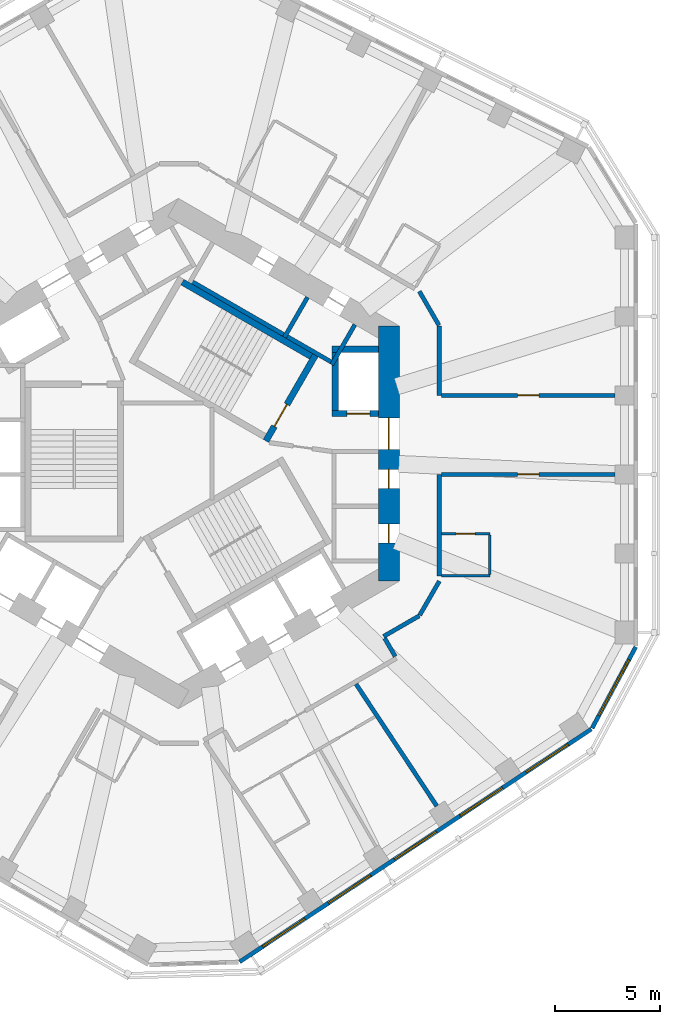
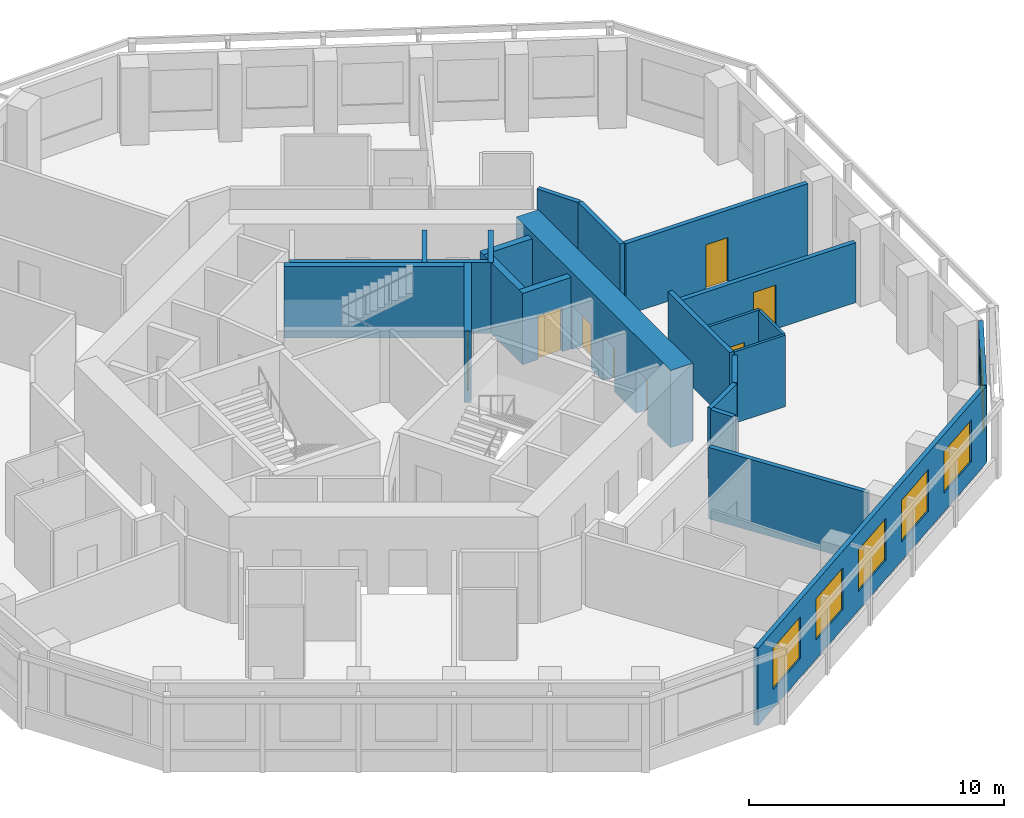
# One storey, part 6 of 11: 23 walls, 8 doors, 6 windows, 14 openings.
"""IFC4 building model written with IfcOpenShell, lengths in metres."""

from ifc_helpers import new_model, si_unit, direction, frame, frame_2d, origin, place, context, subcontext, project, spatial, rectangle, extrude, material, layer, layer_set, type_object, element, fill, save


model = new_model("IFC4")

# Units and contexts
model_context = context("Model", 3, precision=1e-05, world=origin(), true_north=direction((0.0, 1.0)))
body_context = subcontext(model_context, "Body", "Model", "MODEL_VIEW")
ifc_project = project(units=[si_unit("LENGTHUNIT", "METRE"), si_unit("AREAUNIT", "SQUARE_METRE"), si_unit("VOLUMEUNIT", "CUBIC_METRE"), si_unit("PLANEANGLEUNIT", "RADIAN"), si_unit("MASSUNIT", "GRAM", prefix="KILO")], contexts=[model_context])

# Site, building, storey
site_placement = place(None, origin())
site = spatial("IfcSite", under=ifc_project, at=site_placement, CompositionType="ELEMENT")
building_placement = place(site_placement, origin())
building = spatial("IfcBuilding", under=site, at=building_placement, Name="Vanh Sen Convention Tower", CompositionType="ELEMENT")
storey_placement = place(building_placement, frame((0.0, 0.0, 198.39990234375)))
storey = spatial("IfcBuildingStorey", under=building, at=storey_placement, Name="L49", CompositionType="ELEMENT", Elevation=198.39990234375)

# Wall, opening, door
ifc_material_1 = material(Name="Moisture-resistant gypsum board on steel studs", Category="steel")
ifc_layer_1 = layer(ifc_material_1, 0.1201171875)
ifc_layer_set_1 = layer_set([ifc_layer_1], Name="Moisture-resistant gypsum board on steel studs")
wall_type_1 = type_object("IfcWallType", Name="Bathroom partition 120", PredefinedType="PARTITIONING", material=ifc_layer_set_1)
wall_1_placement = place(storey_placement, frame((12.5, -3.812255859375, 0.0), z_axis=(0.0, 0.0, 1.0), x_axis=(1.0, 0.0, 0.0)))
wall_1 = element("IfcWall", 1, at=wall_1_placement, inside=storey, type_object=wall_type_1, Name="Bathroom partition 120", PredefinedType="PARTITIONING", context=body_context, shape_type="SweptSolid", body=[
    extrude(rectangle(XDim=2.300048828125, YDim=0.1201171875, at=frame_2d((1.14990234375, 0.0))), origin(), (0.0, 0.0, 1.0), 3.420166015625),
])
opening_1_placement = place(wall_1_placement, frame((0.699951171875, 0.0, 0.0)))
opening_1 = element("IfcOpeningElement", 2, at=opening_1_placement, cuts=wall_1, Name="Opening D49119", PredefinedType="OPENING", context=body_context, shape_type="SweptSolid", body=[
    extrude(rectangle(XDim=0.89990234375, YDim=2.10009765625, at=frame_2d((0.449951171875, 1.050048828125))), frame((0.0, 0.070068359375, 0.0), z_axis=(0.0, -1.0, 0.0), x_axis=(1.0, 0.0, 0.0)), (0.0, 0.0, 1.0), 0.14013671875),
])
ifc_material_2 = material(Name="Laminate door in steel frame", Category="steel")
door_type_1 = type_object("IfcDoorType", Name="Room internal door 900", OperationType="SINGLE_SWING_LEFT", PredefinedType="DOOR", material=ifc_material_2)
door_1_placement = place(opening_1_placement, origin())
door_1 = element("IfcDoor", 3, at=door_1_placement, inside=storey, type_object=door_type_1, Name="Internal room door D49119", OperationType="SINGLE_SWING_LEFT", OverallHeight=2.10009765625, OverallWidth=0.89990234375, PredefinedType="DOOR", context=body_context, shape_type="SweptSolid", body=[
    extrude(rectangle(XDim=0.89990234375, YDim=2.10009765625, at=frame_2d((0.449951171875, 1.050048828125))), frame((0.0, 0.02490234375, 0.0), z_axis=(0.0, -1.0, 0.0), x_axis=(1.0, 0.0, 0.0)), (0.0, 0.0, 1.0), 0.050048828125),
])
fill(opening_1, door_1)

# Walls
wall_2_placement = place(storey_placement, frame((14.800048828125, -5.812255859375, 0.0), z_axis=(0.0, 0.0, 1.0), x_axis=(-1.0, 0.0, 0.0)))
element("IfcWall", 4, at=wall_2_placement, inside=storey, type_object=wall_type_1, Name="Bathroom partition 120", PredefinedType="PARTITIONING", context=body_context, shape_type="SweptSolid", body=[
    extrude(rectangle(XDim=2.300048828125, YDim=0.1201171875, at=frame_2d((1.14990234375, 0.0))), origin(), (0.0, 0.0, 1.0), 3.420166015625),
])
wall_3_placement = place(storey_placement, frame((14.800048828125, -3.872314453125, 0.0), z_axis=(0.0, 0.0, 1.0), x_axis=(0.0, -1.0, 0.0)))
element("IfcWall", 5, at=wall_3_placement, inside=storey, type_object=wall_type_1, Name="Bathroom partition 120", PredefinedType="PARTITIONING", context=body_context, shape_type="SweptSolid", body=[
    extrude(rectangle(XDim=1.8798828125, YDim=0.1201171875, at=frame_2d((0.93994140625, 0.0))), origin(), (0.0, 0.0, 1.0), 3.420166015625),
])

# Wall, openings, doors
ifc_material_3 = material(Name="Concrete C80/95", Category="concrete")
ifc_layer_2 = layer(ifc_material_3, 1.0)
ifc_layer_set_2 = layer_set([ifc_layer_2], Name="Concrete C80/95")
wall_type_2 = type_object("IfcWallType", Name="Core outer wall 1000 C80/95", PredefinedType="SHEAR", material=ifc_layer_set_2)
wall_4_placement = place(storey_placement, frame((10.0, -6.062255859375, 0.0), z_axis=(0.0, 0.0, 1.0), x_axis=(0.0, 1.0, 0.0)))
wall_4 = element("IfcWall", 6, at=wall_4_placement, inside=storey, type_object=wall_type_2, Name="Core wall face E L49", PredefinedType="SHEAR", context=body_context, shape_type="SweptSolid", body=[
    extrude(rectangle(XDim=12.12451171875, YDim=1.0, at=frame_2d((6.062255859375, 0.0))), origin(), (0.0, 0.0, 1.0), 3.7001953125),
])
opening_2_placement = place(wall_4_placement, frame((6.26220703125, 0.0, 0.0)))
opening_2 = element("IfcOpeningElement", 7, at=opening_2_placement, cuts=wall_4, Name="Opening D49001", PredefinedType="OPENING", context=body_context, shape_type="SweptSolid", body=[
    extrude(rectangle(XDim=1.5, YDim=2.10009765625, at=frame_2d((0.75, 1.050048828125))), frame((0.0, 0.510009765625, 0.0), z_axis=(0.0, -1.0, 0.0), x_axis=(1.0, 0.0, 0.0)), (0.0, 0.0, 1.0), 1.02001953125),
])
opening_3_placement = place(wall_4_placement, frame((1.812255859375, 0.0, 0.0)))
opening_3 = element("IfcOpeningElement", 8, at=opening_3_placement, cuts=wall_4, Name="Opening D49010", PredefinedType="OPENING", context=body_context, shape_type="SweptSolid", body=[
    extrude(rectangle(XDim=0.89990234375, YDim=2.10009765625, at=frame_2d((0.449951171875, 1.050048828125))), frame((0.0, 0.510009765625, 0.0), z_axis=(0.0, -1.0, 0.0), x_axis=(1.0, 0.0, 0.0)), (0.0, 0.0, 1.0), 1.02001953125),
])
opening_4_placement = place(wall_4_placement, frame((4.412109375, 0.0, 0.0)))
opening_4 = element("IfcOpeningElement", 9, at=opening_4_placement, cuts=wall_4, Name="Opening D49011", PredefinedType="OPENING", context=body_context, shape_type="SweptSolid", body=[
    extrude(rectangle(XDim=0.89990234375, YDim=2.10009765625, at=frame_2d((0.449951171875, 1.050048828125))), frame((0.0, 0.510009765625, 0.0), z_axis=(0.0, -1.0, 0.0), x_axis=(1.0, 0.0, 0.0)), (0.0, 0.0, 1.0), 1.02001953125),
])
ifc_material_4 = material(Name="Steel S355", Category="steel")
door_type_2 = type_object("IfcDoorType", Name="Plant door 900", OperationType="SINGLE_SWING_LEFT", PredefinedType="DOOR", material=ifc_material_4)
door_2_placement = place(opening_3_placement, origin())
door_2 = element("IfcDoor", 10, at=door_2_placement, inside=storey, type_object=door_type_2, Name="Plant door D49010", OperationType="SINGLE_SWING_LEFT", OverallHeight=2.10009765625, OverallWidth=0.89990234375, PredefinedType="DOOR", context=body_context, shape_type="SweptSolid", body=[
    extrude(rectangle(XDim=0.89990234375, YDim=2.10009765625, at=frame_2d((0.449951171875, 1.050048828125))), frame((0.0, 0.02490234375, 0.0), z_axis=(0.0, -1.0, 0.0), x_axis=(1.0, 0.0, 0.0)), (0.0, 0.0, 1.0), 0.050048828125),
])
fill(opening_3, door_2)
door_3_placement = place(opening_4_placement, origin())
door_3 = element("IfcDoor", 11, at=door_3_placement, inside=storey, type_object=door_type_2, Name="Plant door D49011", OperationType="SINGLE_SWING_LEFT", OverallHeight=2.10009765625, OverallWidth=0.89990234375, PredefinedType="DOOR", context=body_context, shape_type="SweptSolid", body=[
    extrude(rectangle(XDim=0.89990234375, YDim=2.10009765625, at=frame_2d((0.449951171875, 1.050048828125))), frame((0.0, 0.02490234375, 0.0), z_axis=(0.0, -1.0, 0.0), x_axis=(1.0, 0.0, 0.0)), (0.0, 0.0, 1.0), 0.050048828125),
])
fill(opening_4, door_3)
door_type_3 = type_object("IfcDoorType", Name="Stair lobby door 1500", OperationType="DOUBLE_DOOR_SINGLE_SWING", PredefinedType="DOOR", material=ifc_material_4)
door_4_placement = place(opening_2_placement, origin())
door_4 = element("IfcDoor", 12, at=door_4_placement, inside=storey, type_object=door_type_3, Name="Stair lobby door D49001", OperationType="DOUBLE_DOOR_SINGLE_SWING", OverallHeight=2.10009765625, OverallWidth=1.5, PredefinedType="DOOR", context=body_context, shape_type="SweptSolid", body=[
    extrude(rectangle(XDim=1.5, YDim=2.10009765625, at=frame_2d((0.75, 1.050048828125))), frame((0.0, 0.02490234375, 0.0), z_axis=(0.0, -1.0, 0.0), x_axis=(1.0, 0.0, 0.0)), (0.0, 0.0, 1.0), 0.050048828125),
])
fill(opening_2, door_4)

# Walls
ifc_material_5 = material(Name="Gypsum board on steel studs with mineral wool", Category="steel")
ifc_layer_3 = layer(ifc_material_5, 0.199951171875)
ifc_layer_set_3 = layer_set([ifc_layer_3], Name="Gypsum board on steel studs with mineral wool")
wall_type_3 = type_object("IfcWallType", Name="Corridor partition wall 200", PredefinedType="PARTITIONING", material=ifc_layer_set_3)
wall_5_placement = place(storey_placement, frame((9.751708984375, -8.688232421875, 0.0), z_axis=(0.0, 0.0, 1.0), x_axis=(0.865974105138, 0.500088841337, 0.0)))
element("IfcWall", 13, at=wall_5_placement, inside=storey, type_object=wall_type_3, Name="Corridor partition wall 200", PredefinedType="PARTITIONING", context=body_context, shape_type="SweptSolid", body=[
    extrude(rectangle(XDim=1.961181640625, YDim=0.199951171875, at=frame_2d((0.98046875, 0.0))), origin(), (0.0, 0.0, 1.0), 3.420166015625),
])
wall_6_placement = place(storey_placement, frame((10.302001953125, -9.6416015625, 0.0), z_axis=(0.0, 0.0, 1.0), x_axis=(-0.500074377092, 0.865982457891, 0.0)))
element("IfcWall", 14, at=wall_6_placement, inside=storey, type_object=wall_type_3, Name="Corridor partition wall 200", PredefinedType="PARTITIONING", context=body_context, shape_type="SweptSolid", body=[
    extrude(rectangle(XDim=1.000732421875, YDim=0.199951171875, at=frame_2d((0.50048828125, 0.0))), origin(), (0.0, 0.0, 1.0), 3.420166015625),
])
for number, where, z_axis, x_axis, name in (
    (15, (11.469970703125, -7.673095703125, 0.0), (0.0, 0.0, 1.0), (0.499964847546, 0.866045698112, 0.0), "Corridor partition wall 200"),
    (16, (12.3798828125, 6.0966796875, 0.0), (0.0, 0.0, 1.0), (-0.499964847546, 0.866045698112, 0.0), "Corridor partition wall 200"),
):
    element("IfcWall", number, at=place(storey_placement, frame(where, z_axis=z_axis, x_axis=x_axis)), inside=storey, type_object=wall_type_3, Name=name, PredefinedType="PARTITIONING", context=body_context, shape_type="SweptSolid", body=[
        extrude(rectangle(XDim=1.860107421875, YDim=0.199951171875, at=frame_2d((0.93017578125, 0.0))), origin(), (0.0, 0.0, 1.0), 3.420166015625),
    ])
wall_7_placement = place(storey_placement, frame((12.39990234375, -5.812255859375, 0.0), z_axis=(0.0, 0.0, 1.0), x_axis=(0.0, 1.0, 0.0)))
element("IfcWall", 17, at=wall_7_placement, inside=storey, type_object=wall_type_3, Name="Corridor partition wall 200", PredefinedType="PARTITIONING", context=body_context, shape_type="SweptSolid", body=[
    extrude(rectangle(XDim=4.8193359375, YDim=0.199951171875, at=frame_2d((2.40966796875, 0.0))), origin(), (0.0, 0.0, 1.0), 3.420166015625),
])
wall_8_placement = place(storey_placement, frame((12.39990234375, 2.76123046875, 0.0), z_axis=(0.0, 0.0, 1.0), x_axis=(0.0, 1.0, 0.0)))
element("IfcWall", 18, at=wall_8_placement, inside=storey, type_object=wall_type_3, Name="Corridor partition wall 200", PredefinedType="PARTITIONING", context=body_context, shape_type="SweptSolid", body=[
    extrude(rectangle(XDim=3.301025390625, YDim=0.199951171875, at=frame_2d((1.650390625, 0.0))), origin(), (0.0, 0.0, 1.0), 3.420166015625),
])

# Wall, opening, door
wall_9_placement = place(storey_placement, frame((12.5, -0.992919921875, 0.0), z_axis=(0.0, 0.0, 1.0), x_axis=(1.0, 0.0, 0.0)))
wall_9 = element("IfcWall", 19, at=wall_9_placement, inside=storey, type_object=wall_type_3, Name="Corridor partition wall 200", PredefinedType="PARTITIONING", context=body_context, shape_type="SweptSolid", body=[
    extrude(rectangle(XDim=8.25, YDim=0.199951171875, at=frame_2d((4.125, 0.0))), origin(), (0.0, 0.0, 1.0), 2.8701171875),
])
opening_5_placement = place(wall_9_placement, frame((3.625, 0.0, 0.0)))
opening_5 = element("IfcOpeningElement", 20, at=opening_5_placement, cuts=wall_9, Name="Opening D49118", PredefinedType="OPENING", context=body_context, shape_type="SweptSolid", body=[
    extrude(rectangle(XDim=1.0, YDim=2.10009765625, at=frame_2d((0.5, 1.050048828125))), frame((0.0, 0.10986328125, 0.0), z_axis=(0.0, -1.0, 0.0), x_axis=(1.0, 0.0, 0.0)), (0.0, 0.0, 1.0), 0.219970703125),
])
ifc_material_6 = material(Name="Glazed fire door in steel frame", Category="steel")
door_type_4 = type_object("IfcDoorType", Name="Tenant entrance door 1000", OperationType="SINGLE_SWING_LEFT", PredefinedType="DOOR", material=ifc_material_6)
door_5_placement = place(opening_5_placement, origin())
door_5 = element("IfcDoor", 21, at=door_5_placement, inside=storey, type_object=door_type_4, Name="Tenant suite entrance door D49118", OperationType="SINGLE_SWING_LEFT", OverallHeight=2.10009765625, OverallWidth=1.0, PredefinedType="DOOR", context=body_context, shape_type="SweptSolid", body=[
    extrude(rectangle(XDim=1.0, YDim=2.10009765625, at=frame_2d((0.5, 1.050048828125))), frame((0.0, 0.02490234375, 0.0), z_axis=(0.0, -1.0, 0.0), x_axis=(1.0, 0.0, 0.0)), (0.0, 0.0, 1.0), 0.050048828125),
])
fill(opening_5, door_5)

wall_10_placement = place(storey_placement, frame((20.75, 2.76123046875, 0.0), z_axis=(0.0, 0.0, 1.0), x_axis=(-1.0, 0.0, 0.0)))
wall_10 = element("IfcWall", 22, at=wall_10_placement, inside=storey, type_object=wall_type_3, Name="Corridor partition wall 200", PredefinedType="PARTITIONING", context=body_context, shape_type="SweptSolid", body=[
    extrude(rectangle(XDim=8.25, YDim=0.199951171875, at=frame_2d((4.125, 0.0))), origin(), (0.0, 0.0, 1.0), 3.420166015625),
])
opening_6_placement = place(wall_10_placement, frame((3.625, 0.0, 0.0)))
opening_6 = element("IfcOpeningElement", 23, at=opening_6_placement, cuts=wall_10, Name="Opening D49101", PredefinedType="OPENING", context=body_context, shape_type="SweptSolid", body=[
    extrude(rectangle(XDim=1.0, YDim=2.10009765625, at=frame_2d((0.5, 1.050048828125))), frame((0.0, 0.10986328125, 0.0), z_axis=(0.0, -1.0, 0.0), x_axis=(1.0, 0.0, 0.0)), (0.0, 0.0, 1.0), 0.219970703125),
])
door_6_placement = place(opening_6_placement, origin())
door_6 = element("IfcDoor", 24, at=door_6_placement, inside=storey, type_object=door_type_4, Name="Tenant suite entrance door D49101", OperationType="SINGLE_SWING_LEFT", OverallHeight=2.10009765625, OverallWidth=1.0, PredefinedType="DOOR", context=body_context, shape_type="SweptSolid", body=[
    extrude(rectangle(XDim=1.0, YDim=2.10009765625, at=frame_2d((0.5, 1.050048828125))), frame((0.0, 0.02490234375, 0.0), z_axis=(0.0, -1.0, 0.0), x_axis=(1.0, 0.0, 0.0)), (0.0, 0.0, 1.0), 0.050048828125),
])
fill(opening_6, door_6)

# Wall, openings, windows
ifc_material_7 = material(Name="Insulated lightweight infill wall")
ifc_layer_4 = layer(ifc_material_7, 0.199951171875)
ifc_layer_set_4 = layer_set([ifc_layer_4], Name="Insulated lightweight infill wall")
wall_type_4 = type_object("IfcWallType", Name="External wall 200", PredefinedType="STANDARD", material=ifc_layer_set_4)
wall_11_placement = place(storey_placement, frame((2.910888671875, -24.156005859375, 0.0), z_axis=(0.0, 0.0, 1.0), x_axis=(0.833882163564, 0.551942512668, 0.0)))
wall_11 = element("IfcWall", 25, at=wall_11_placement, inside=storey, type_object=wall_type_4, Name="External wall SE L49", PredefinedType="STANDARD", context=body_context, shape_type="SweptSolid", body=[
    extrude(rectangle(XDim=20.043701171875, YDim=0.199951171875, at=frame_2d((10.02197265625, 0.0))), origin(), (0.0, 0.0, 1.0), 3.7001953125),
])
opening_7_placement = place(wall_11_placement, frame((1.312744140625, 0.0, 0.89990234375)))
opening_7 = element("IfcOpeningElement", 26, at=opening_7_placement, cuts=wall_11, Name="Opening WO1-SE1", PredefinedType="OPENING", context=body_context, shape_type="SweptSolid", body=[
    extrude(rectangle(XDim=2.39990234375, YDim=2.0, at=frame_2d((1.199951171875, 1.0))), frame((0.0, 0.10986328125, 0.0), z_axis=(0.0, -1.0, 0.0), x_axis=(1.0, 0.0, 0.0)), (0.0, 0.0, 1.0), 0.219970703125),
])
opening_8_placement = place(wall_11_placement, frame((5.06689453125, 0.0, 0.89990234375)))
opening_8 = element("IfcOpeningElement", 27, at=opening_8_placement, cuts=wall_11, Name="Opening WO1-SE2", PredefinedType="OPENING", context=body_context, shape_type="SweptSolid", body=[
    extrude(rectangle(XDim=2.39990234375, YDim=2.0, at=frame_2d((1.199951171875, 1.0))), frame((0.0, 0.10986328125, 0.0), z_axis=(0.0, -1.0, 0.0), x_axis=(1.0, 0.0, 0.0)), (0.0, 0.0, 1.0), 0.219970703125),
])
opening_9_placement = place(wall_11_placement, frame((8.82080078125, 0.0, 0.89990234375)))
opening_9 = element("IfcOpeningElement", 28, at=opening_9_placement, cuts=wall_11, Name="Opening WO1-SE3", PredefinedType="OPENING", context=body_context, shape_type="SweptSolid", body=[
    extrude(rectangle(XDim=2.39990234375, YDim=2.0, at=frame_2d((1.199951171875, 1.0))), frame((0.0, 0.10986328125, 0.0), z_axis=(0.0, -1.0, 0.0), x_axis=(1.0, 0.0, 0.0)), (0.0, 0.0, 1.0), 0.219970703125),
])
opening_10_placement = place(wall_11_placement, frame((12.5751953125, 0.0, 0.89990234375)))
opening_10 = element("IfcOpeningElement", 29, at=opening_10_placement, cuts=wall_11, Name="Opening WO1-SE4", PredefinedType="OPENING", context=body_context, shape_type="SweptSolid", body=[
    extrude(rectangle(XDim=2.39990234375, YDim=2.0, at=frame_2d((1.199951171875, 1.0))), frame((0.0, 0.10986328125, 0.0), z_axis=(0.0, -1.0, 0.0), x_axis=(1.0, 0.0, 0.0)), (0.0, 0.0, 1.0), 0.219970703125),
])
opening_11_placement = place(wall_11_placement, frame((16.3291015625, 0.0, 0.89990234375)))
opening_11 = element("IfcOpeningElement", 30, at=opening_11_placement, cuts=wall_11, Name="Opening WO1-SE5", PredefinedType="OPENING", context=body_context, shape_type="SweptSolid", body=[
    extrude(rectangle(XDim=2.39990234375, YDim=2.0, at=frame_2d((1.199951171875, 1.0))), frame((0.0, 0.10986328125, 0.0), z_axis=(0.0, -1.0, 0.0), x_axis=(1.0, 0.0, 0.0)), (0.0, 0.0, 1.0), 0.219970703125),
])
ifc_material_8 = material(Name="Aluminium frame with clear low-emissivity glass", Category="aluminium")
window_type_1 = type_object("IfcWindowType", Name="Office window 2400 x 2000", PartitioningType="SINGLE_PANEL", PredefinedType="WINDOW", material=ifc_material_8)
window_1_placement = place(opening_7_placement, origin())
window_1 = element("IfcWindow", 31, at=window_1_placement, inside=storey, type_object=window_type_1, Name="Window WO1-SE1", OverallHeight=2.0, OverallWidth=2.39990234375, PartitioningType="SINGLE_PANEL", PredefinedType="WINDOW", context=body_context, shape_type="SweptSolid", body=[
    extrude(rectangle(XDim=2.39990234375, YDim=2.0, at=frame_2d((1.199951171875, 1.0))), frame((0.0, 0.030029296875, 0.0), z_axis=(0.0, -1.0, 0.0), x_axis=(1.0, 0.0, 0.0)), (0.0, 0.0, 1.0), 0.06005859375),
])
fill(opening_7, window_1)
window_2_placement = place(opening_8_placement, origin())
window_2 = element("IfcWindow", 32, at=window_2_placement, inside=storey, type_object=window_type_1, Name="Window WO1-SE2", OverallHeight=2.0, OverallWidth=2.39990234375, PartitioningType="SINGLE_PANEL", PredefinedType="WINDOW", context=body_context, shape_type="SweptSolid", body=[
    extrude(rectangle(XDim=2.39990234375, YDim=2.0, at=frame_2d((1.199951171875, 1.0))), frame((0.0, 0.030029296875, 0.0), z_axis=(0.0, -1.0, 0.0), x_axis=(1.0, 0.0, 0.0)), (0.0, 0.0, 1.0), 0.06005859375),
])
fill(opening_8, window_2)
window_3_placement = place(opening_9_placement, origin())
window_3 = element("IfcWindow", 33, at=window_3_placement, inside=storey, type_object=window_type_1, Name="Window WO1-SE3", OverallHeight=2.0, OverallWidth=2.39990234375, PartitioningType="SINGLE_PANEL", PredefinedType="WINDOW", context=body_context, shape_type="SweptSolid", body=[
    extrude(rectangle(XDim=2.39990234375, YDim=2.0, at=frame_2d((1.199951171875, 1.0))), frame((0.0, 0.030029296875, 0.0), z_axis=(0.0, -1.0, 0.0), x_axis=(1.0, 0.0, 0.0)), (0.0, 0.0, 1.0), 0.06005859375),
])
fill(opening_9, window_3)
window_4_placement = place(opening_10_placement, origin())
window_4 = element("IfcWindow", 34, at=window_4_placement, inside=storey, type_object=window_type_1, Name="Window WO1-SE4", OverallHeight=2.0, OverallWidth=2.39990234375, PartitioningType="SINGLE_PANEL", PredefinedType="WINDOW", context=body_context, shape_type="SweptSolid", body=[
    extrude(rectangle(XDim=2.39990234375, YDim=2.0, at=frame_2d((1.199951171875, 1.0))), frame((0.0, 0.030029296875, 0.0), z_axis=(0.0, -1.0, 0.0), x_axis=(1.0, 0.0, 0.0)), (0.0, 0.0, 1.0), 0.06005859375),
])
fill(opening_10, window_4)
window_5_placement = place(opening_11_placement, origin())
window_5 = element("IfcWindow", 35, at=window_5_placement, inside=storey, type_object=window_type_1, Name="Window WO1-SE5", OverallHeight=2.0, OverallWidth=2.39990234375, PartitioningType="SINGLE_PANEL", PredefinedType="WINDOW", context=body_context, shape_type="SweptSolid", body=[
    extrude(rectangle(XDim=2.39990234375, YDim=2.0, at=frame_2d((1.199951171875, 1.0))), frame((0.0, 0.030029296875, 0.0), z_axis=(0.0, -1.0, 0.0), x_axis=(1.0, 0.0, 0.0)), (0.0, 0.0, 1.0), 0.06005859375),
])
fill(opening_11, window_5)

# Wall, opening, window
wall_12_placement = place(storey_placement, frame((19.657958984375, -13.05712890625, 0.0), z_axis=(0.0, 0.0, 1.0), x_axis=(0.473307879841, 0.880897071672, 0.0)))
wall_12 = element("IfcWall", 36, at=wall_12_placement, inside=storey, type_object=wall_type_4, Name="External wall CH6 L49", PredefinedType="STANDARD", context=body_context, shape_type="SweptSolid", body=[
    extrude(rectangle(XDim=4.394775390625, YDim=0.199951171875, at=frame_2d((2.197265625, 0.0))), origin(), (0.0, 0.0, 1.0), 3.7001953125),
])
opening_12_placement = place(wall_12_placement, frame((0.697509765625, 0.0, 0.89990234375)))
opening_12 = element("IfcOpeningElement", 37, at=opening_12_placement, cuts=wall_12, Name="Opening WO2-CH61", PredefinedType="OPENING", context=body_context, shape_type="SweptSolid", body=[
    extrude(rectangle(XDim=3.0, YDim=2.0, at=frame_2d((1.5, 1.0))), frame((0.0, 0.10986328125, 0.0), z_axis=(0.0, -1.0, 0.0), x_axis=(1.0, 0.0, 0.0)), (0.0, 0.0, 1.0), 0.219970703125),
])
window_type_2 = type_object("IfcWindowType", Name="Office window 3000 x 2000", PartitioningType="SINGLE_PANEL", PredefinedType="WINDOW", material=ifc_material_8)
window_6_placement = place(opening_12_placement, origin())
window_6 = element("IfcWindow", 38, at=window_6_placement, inside=storey, type_object=window_type_2, Name="Window WO2-CH61", OverallHeight=2.0, OverallWidth=3.0, PartitioningType="SINGLE_PANEL", PredefinedType="WINDOW", context=body_context, shape_type="SweptSolid", body=[
    extrude(rectangle(XDim=3.0, YDim=2.0, at=frame_2d((1.5, 1.0))), frame((0.0, 0.030029296875, 0.0), z_axis=(0.0, -1.0, 0.0), x_axis=(1.0, 0.0, 0.0)), (0.0, 0.0, 1.0), 0.06005859375),
])
fill(opening_12, window_6)

# Wall, opening, door
ifc_material_9 = material(Name="Concrete C60/75", Category="concrete")
ifc_layer_5 = layer(ifc_material_9, 0.300048828125)
ifc_layer_set_5 = layer_set([ifc_layer_5], Name="Concrete C60/75")
wall_type_5 = type_object("IfcWallType", Name="Fire-fighting lift shaft wall 300", PredefinedType="SHEAR", material=ifc_layer_set_5)
wall_13_placement = place(storey_placement, frame((7.300048828125, 1.89990234375, 0.0), z_axis=(0.0, 0.0, 1.0), x_axis=(1.0, 0.0, 0.0)))
wall_13 = element("IfcWall", 39, at=wall_13_placement, inside=storey, type_object=wall_type_5, Name="Fire-fighting lift shaft wall L49", PredefinedType="SHEAR", context=body_context, shape_type="SweptSolid", body=[
    extrude(rectangle(XDim=2.199951171875, YDim=0.300048828125, at=frame_2d((1.10009765625, 0.0))), origin(), (0.0, 0.0, 1.0), 3.420166015625),
])
opening_13_placement = place(wall_13_placement, frame((0.699951171875, 0.0, 0.0)))
opening_13 = element("IfcOpeningElement", 40, at=opening_13_placement, cuts=wall_13, Name="Opening LD-FF1", PredefinedType="OPENING", context=body_context, shape_type="SweptSolid", body=[
    extrude(rectangle(XDim=1.10009765625, YDim=2.10009765625, at=frame_2d((0.550048828125, 1.050048828125))), frame((0.0, 0.159912109375, 0.0), z_axis=(0.0, -1.0, 0.0), x_axis=(1.0, 0.0, 0.0)), (0.0, 0.0, 1.0), 0.320068359375),
])
ifc_material_10 = material(Name="Stainless steel", Category="steel")
door_type_5 = type_object("IfcDoorType", Name="Fire-fighting lift landing door 1100", OperationType="DOUBLE_DOOR_SLIDING", PredefinedType="DOOR", material=ifc_material_10)
door_7_placement = place(opening_13_placement, origin())
door_7 = element("IfcDoor", 41, at=door_7_placement, inside=storey, type_object=door_type_5, Name="Lift FF1 landing door LD-FF1", OperationType="DOUBLE_DOOR_SLIDING", OverallHeight=2.10009765625, OverallWidth=1.10009765625, PredefinedType="DOOR", context=body_context, shape_type="SweptSolid", body=[
    extrude(rectangle(XDim=1.10009765625, YDim=2.10009765625, at=frame_2d((0.550048828125, 1.050048828125))), frame((0.0, 0.02490234375, 0.0), z_axis=(0.0, -1.0, 0.0), x_axis=(1.0, 0.0, 0.0)), (0.0, 0.0, 1.0), 0.050048828125),
])
fill(opening_13, door_7)

# Walls
wall_14_placement = place(storey_placement, frame((7.449951171875, 1.75, 0.0), z_axis=(0.0, 0.0, 1.0), x_axis=(0.0, 1.0, 0.0)))
element("IfcWall", 42, at=wall_14_placement, inside=storey, type_object=wall_type_5, Name="Fire-fighting lift shaft wall L49", PredefinedType="SHEAR", context=body_context, shape_type="SweptSolid", body=[
    extrude(rectangle(XDim=3.35009765625, YDim=0.300048828125, at=frame_2d((1.675048828125, 0.0))), origin(), (0.0, 0.0, 1.0), 3.420166015625),
])
wall_15_placement = place(storey_placement, frame((7.300048828125, 4.949951171875, 0.0), z_axis=(0.0, 0.0, 1.0), x_axis=(1.0, 0.0, 0.0)))
element("IfcWall", 43, at=wall_15_placement, inside=storey, type_object=wall_type_5, Name="Fire-fighting lift shaft wall L49", PredefinedType="SHEAR", context=body_context, shape_type="SweptSolid", body=[
    extrude(rectangle(XDim=2.199951171875, YDim=0.300048828125, at=frame_2d((1.10009765625, 0.0))), origin(), (0.0, 0.0, 1.0), 3.420166015625),
])
ifc_material_11 = material(Name="Concrete C40/50", Category="concrete")
ifc_layer_6 = layer(ifc_material_11, 0.199951171875)
ifc_layer_set_6 = layer_set([ifc_layer_6], Name="Concrete C40/50")
wall_type_6 = type_object("IfcWallType", Name="Lift shaft wall 200", PredefinedType="PARTITIONING", material=ifc_layer_set_6)
wall_16_placement = place(storey_placement, frame((7.423828125, 4.258544921875, 0.0), z_axis=(0.0, 0.0, 1.0), x_axis=(-0.866026010844, 0.49999894854, 0.0)))
element("IfcWall", 44, at=wall_16_placement, inside=storey, type_object=wall_type_6, Name="Lift shaft wall L49", PredefinedType="PARTITIONING", context=body_context, shape_type="SweptSolid", body=[
    extrude(rectangle(XDim=8.0, YDim=0.199951171875, at=frame_2d((4.0, 0.0))), origin(), (0.0, 0.0, 1.0), 3.420166015625),
])
for number, where, z_axis, x_axis, name in (
    (45, (7.287353515625, 4.221923828125, 0.0), (0.0, 0.0, 1.0), (0.499946605688, 0.86605622881, 0.0), "Lift shaft wall L49"),
    (46, (5.03564453125, 5.52197265625, 0.0), (0.0, 0.0, 1.0), (0.499946605688, 0.86605622881, 0.0), "Lift shaft wall L49"),
):
    element("IfcWall", number, at=place(storey_placement, frame(where, z_axis=z_axis, x_axis=x_axis)), inside=storey, type_object=wall_type_6, Name=name, PredefinedType="PARTITIONING", context=body_context, shape_type="SweptSolid", body=[
        extrude(rectangle(XDim=2.199951171875, YDim=0.199951171875, at=frame_2d((1.10009765625, 0.0))), origin(), (0.0, 0.0, 1.0), 3.420166015625),
    ])

# Wall, opening, door
ifc_layer_7 = layer(ifc_material_9, 0.300048828125)
ifc_layer_set_7 = layer_set([ifc_layer_7], Name="Concrete C60/75")
wall_type_7 = type_object("IfcWallType", Name="Stair wall 300", PredefinedType="SHEAR", material=ifc_layer_set_7)
wall_17_placement = place(storey_placement, frame((4.157958984375, 0.601806640625, 0.0), z_axis=(0.0, 0.0, 1.0), x_axis=(0.499977259774, 0.866038532462, 0.0)))
wall_17 = element("IfcWall", 47, at=wall_17_placement, inside=storey, type_object=wall_type_7, Name="Stair wall L49", PredefinedType="SHEAR", context=body_context, shape_type="SweptSolid", body=[
    extrude(rectangle(XDim=4.699951171875, YDim=0.300048828125, at=frame_2d((2.35009765625, 0.0))), origin(), (0.0, 0.0, 1.0), 3.420166015625),
])
opening_14_placement = place(wall_17_placement, frame((0.800048828125, 0.0, 0.0)))
opening_14 = element("IfcOpeningElement", 48, at=opening_14_placement, cuts=wall_17, Name="Opening D49004", PredefinedType="OPENING", context=body_context, shape_type="SweptSolid", body=[
    extrude(rectangle(XDim=1.199951171875, YDim=2.10009765625, at=frame_2d((0.60009765625, 1.050048828125))), frame((0.0, 0.159912109375, 0.0), z_axis=(0.0, -1.0, 0.0), x_axis=(1.0, 0.0, 0.0)), (0.0, 0.0, 1.0), 0.320068359375),
])
door_type_6 = type_object("IfcDoorType", Name="Stair door 1200", OperationType="SINGLE_SWING_RIGHT", PredefinedType="DOOR", material=ifc_material_4)
door_8_placement = place(opening_14_placement, origin())
door_8 = element("IfcDoor", 49, at=door_8_placement, inside=storey, type_object=door_type_6, Name="Stair ST1 door D49004", OperationType="SINGLE_SWING_RIGHT", OverallHeight=2.10009765625, OverallWidth=1.199951171875, PredefinedType="DOOR", context=body_context, shape_type="SweptSolid", body=[
    extrude(rectangle(XDim=1.199951171875, YDim=2.10009765625, at=frame_2d((0.60009765625, 1.050048828125))), frame((0.0, 0.02490234375, 0.0), z_axis=(0.0, -1.0, 0.0), x_axis=(1.0, 0.0, 0.0)), (0.0, 0.0, 1.0), 0.050048828125),
])
fill(opening_14, door_8)

# Walls
wall_18_placement = place(storey_placement, frame((6.302978515625, 4.6171875, 0.0), z_axis=(0.0, 0.0, 1.0), x_axis=(-0.866027801685, 0.499995846692, 0.0)))
element("IfcWall", 50, at=wall_18_placement, inside=storey, type_object=wall_type_7, Name="Stair wall L49", PredefinedType="SHEAR", context=body_context, shape_type="SweptSolid", body=[
    extrude(rectangle(XDim=7.06005859375, YDim=0.300048828125, at=frame_2d((3.530029296875, 0.0))), origin(), (0.0, 0.0, 1.0), 3.420166015625),
])
ifc_layer_8 = layer(ifc_material_5, 0.199951171875)
ifc_layer_set_8 = layer_set([ifc_layer_8], Name="Gypsum board on steel studs with mineral wool")
wall_type_8 = type_object("IfcWallType", Name="Tenant suite wall 200", PredefinedType="PARTITIONING", material=ifc_layer_set_8)
wall_19_placement = place(storey_placement, frame((12.280517578125, -16.755126953125, 0.0), z_axis=(0.0, 0.0, 1.0), x_axis=(-0.551925794663, 0.833893228888, 0.0)))
element("IfcWall", 51, at=wall_19_placement, inside=storey, type_object=wall_type_8, Name="Tenant suite wall 200", PredefinedType="PARTITIONING", context=body_context, shape_type="SweptSolid", body=[
    extrude(rectangle(XDim=6.95263671875, YDim=0.199951171875, at=frame_2d((3.476318359375, 0.0))), origin(), (0.0, 0.0, 1.0), 3.420166015625),
])

save(model, "model.ifc")
